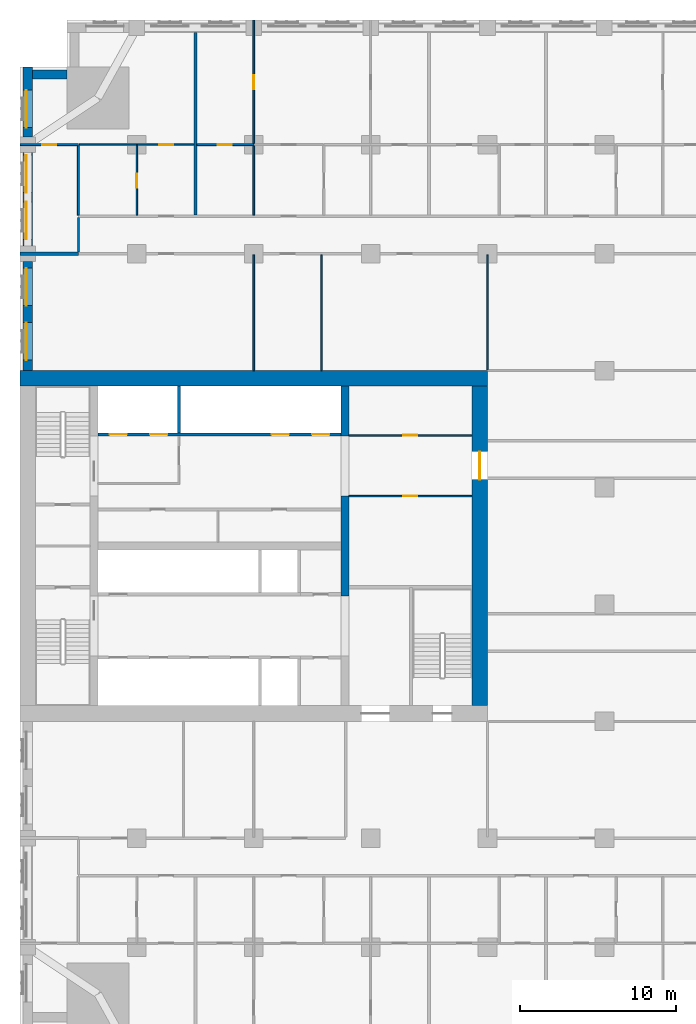
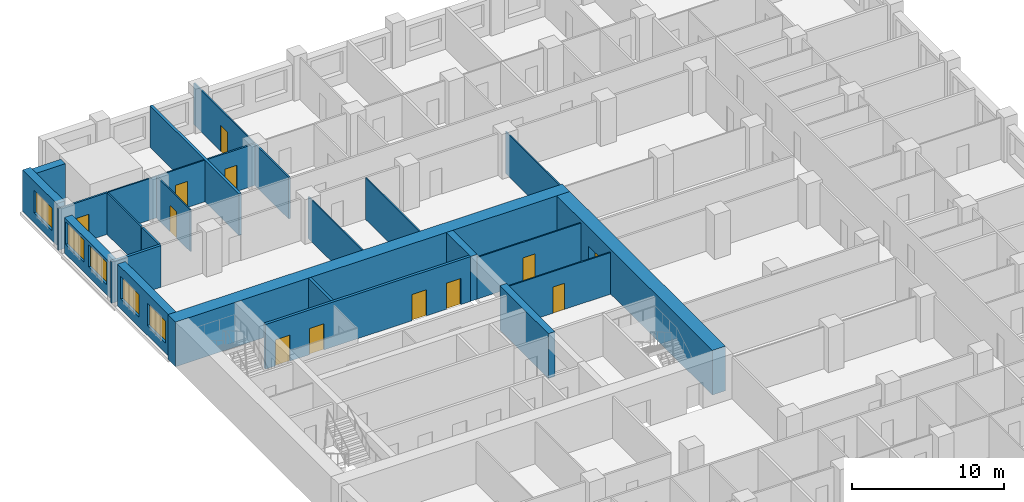
# One storey, part 8 of 14: 25 walls, 12 doors, 5 windows, 17 openings.
"""IFC4 building model written with IfcOpenShell, lengths in metres."""

import ifcopenshell
import ifcopenshell.guid

model = None  # the IFC model being written
_history = None  # IfcOwnerHistory: only IFC2X3 demands one
_inside = {}  # id of a spatial element -> (the spatial element, [elements in it])
_under = {}  # id of a project, library or spatial element -> (it, [spatial elements below it])
_declared = {}  # id of a project -> (the project, [libraries it declares])
_typed = {}  # id of a type object -> (the type object, [elements of that type])
_made_of = {}  # id of a material, layer set ... -> (it, [elements and type objects made of it])


def new_model(schema):
    """Start an empty IFC model of exactly this schema.

    Asked for "IFC4X3", IfcOpenShell would pick the latest addendum, in which some entities
    have other attributes; the version numbers below select the first issue.
    IFC2X3 requires an IfcOwnerHistory on every rooted entity: one is made here for all.
    """
    global model, _history
    if schema == "IFC4X3":
        model = ifcopenshell.file(schema_version=(4, 3, 0, 0))
    else:
        model = ifcopenshell.file(schema=schema)
    _inside.clear()
    _under.clear()
    _declared.clear()
    _typed.clear()
    _made_of.clear()
    _history = None
    if model.schema == "IFC2X3":
        org = make("IfcOrganization", Name="unknown")
        user = make(
            "IfcPersonAndOrganization",
            ThePerson=make("IfcPerson", FamilyName="unknown"),
            TheOrganization=org,
        )
        app = make(
            "IfcApplication",
            ApplicationDeveloper=org,
            Version="unknown",
            ApplicationFullName="unknown",
            ApplicationIdentifier="unknown",
        )
        _history = make(
            "IfcOwnerHistory",
            OwningUser=user,
            OwningApplication=app,
            ChangeAction="ADDED",
            CreationDate=0,
        )
    return model


def make(cls, **values):
    """One entity of the class cls with the attributes given. An attribute that is None is left unset."""
    return model.create_entity(
        cls, **{name: value for name, value in values.items() if value is not None}
    )


def rooted(cls, **values):
    """An entity with a GlobalId (a new one), such as an element, a storey or a relation."""
    return make(cls, GlobalId=ifcopenshell.guid.new(), OwnerHistory=_history, **values)


def si_unit(unit_type, name, prefix=None):
    """IfcSIUnit, for example si_unit("LENGTHUNIT", "METRE", prefix="MILLI")."""
    return make("IfcSIUnit", UnitType=unit_type, Prefix=prefix, Name=name)


def assignment(units):
    """IfcUnitAssignment: the units of a project."""
    return None if units is None else make("IfcUnitAssignment", Units=units)


def point(xyz):
    """IfcCartesianPoint."""
    return None if xyz is None else make("IfcCartesianPoint", Coordinates=xyz)


def direction(xyz):
    """IfcDirection."""
    return None if xyz is None else make("IfcDirection", DirectionRatios=xyz)


def frame(location, z_axis=None, x_axis=None):
    """IfcAxis2Placement3D, a coordinate frame: its origin and axes. An axis left out is left unset."""
    return make(
        "IfcAxis2Placement3D",
        Location=point(location),
        Axis=direction(z_axis),
        RefDirection=direction(x_axis),
    )


def frame_2d(location, x_axis=None):
    """IfcAxis2Placement2D, a coordinate frame in the plane: its origin and x axis."""
    return make(
        "IfcAxis2Placement2D", Location=point(location), RefDirection=direction(x_axis)
    )


def origin():
    """The frame at (0, 0, 0) with its axes left unset."""
    return frame((0.0, 0.0, 0.0))


def place(relative_to, where):
    """IfcLocalPlacement: puts the frame where relative to a parent placement (None: the world)."""
    return make(
        "IfcLocalPlacement", PlacementRelTo=relative_to, RelativePlacement=where
    )


def context(
    kind, dimensions, precision=None, world=None, true_north=None, identifier=None
):
    """IfcGeometricRepresentationContext, for example the 3D "Model" context."""
    return make(
        "IfcGeometricRepresentationContext",
        ContextIdentifier=identifier,
        ContextType=kind,
        CoordinateSpaceDimension=dimensions,
        Precision=precision,
        WorldCoordinateSystem=world,
        TrueNorth=true_north,
    )


def subcontext(parent, identifier, kind, view, scale=None):
    """IfcGeometricRepresentationSubContext, for example "Body" below "Model"."""
    return make(
        "IfcGeometricRepresentationSubContext",
        ContextIdentifier=identifier,
        ContextType=kind,
        ParentContext=parent,
        TargetScale=scale,
        TargetView=view,
    )


def project(units=None, contexts=None):
    """IfcProject with its units and contexts."""
    return rooted(
        "IfcProject",
        Name="project",
        RepresentationContexts=contexts,
        UnitsInContext=assignment(units),
    )


def spatial(cls, under=None, at=None, **own):
    """A site, building, storey or space (cls), placed at a placement, below another one or the project."""
    s = rooted(cls, ObjectPlacement=at, **own)
    if under is not None:
        _under.setdefault(under.id(), (under, []))[1].append(s)
    return s


def profile(cls, at=None, kind="AREA", **sizes):
    """A parametric profile (cls). Its sizes go by their IFC names, for example OverallWidth=200.0."""
    return make(cls, ProfileType=kind, Position=at, **sizes)


def rectangle(**sizes):
    """IfcRectangleProfileDef."""
    return profile("IfcRectangleProfileDef", **sizes)


def extrude(swept, where, along, depth):
    """IfcExtrudedAreaSolid: the profile swept, set in the frame where, extruded along a direction by depth."""
    return make(
        "IfcExtrudedAreaSolid",
        SweptArea=swept,
        Position=where,
        ExtrudedDirection=direction(along),
        Depth=depth,
    )


def shape(context_of_items, identifier, shape_type, items):
    """IfcShapeRepresentation: the items that make up one representation, for example the "Body"."""
    return make(
        "IfcShapeRepresentation",
        ContextOfItems=context_of_items,
        RepresentationIdentifier=identifier,
        RepresentationType=shape_type,
        Items=items,
    )


def material(Name=None, Category=None):
    """IfcMaterial."""
    return make("IfcMaterial", Name=Name, Category=Category)


def layer(
    of_material, thickness, ventilated=None, Name=None, Category=None, Priority=None
):
    """IfcMaterialLayer: one layer of a wall or slab, of a material (None: an air gap)."""
    return make(
        "IfcMaterialLayer",
        Material=of_material,
        LayerThickness=thickness,
        IsVentilated=ventilated,
        Name=Name,
        Category=Category,
        Priority=Priority,
    )


def layer_set(layers, Name=None):
    """IfcMaterialLayerSet."""
    return make("IfcMaterialLayerSet", MaterialLayers=layers, LayerSetName=Name)


def made_of(thing, what):
    """Note that an element or type object is made of a material, layer set ...; save() writes the relation."""
    if what is not None:
        _made_of.setdefault(what.id(), (what, []))[1].append(thing)
    return thing


def type_object(cls, material=None, **own):
    """A type object (cls), such as IfcWallType, which elements share."""
    return made_of(rooted(cls, **own), material)


def element(
    cls,
    number,
    at=None,
    inside=None,
    cuts=None,
    type_object=None,
    material=None,
    context=None,
    identifier="Body",
    shape_type=None,
    held_by="IfcProductDefinitionShape",
    body=None,
    shapes=None,
    **own,
):
    """One element of the class cls, such as IfcWall. Its Tag is "e" and its number.

    at: its placement. inside: the storey or other place that contains it. cuts: it is an
    opening in that element (IfcRelVoidsElement). A single representation is given by context,
    identifier, shape_type and body (its items); several are given by shapes. held_by: the class
    of the entity that holds the representations. save() writes the other relations.
    """
    e = rooted(cls, Tag="e%d" % number, ObjectPlacement=at, **own)
    if body is not None:
        shapes = [shape(context, identifier, shape_type, body)]
    if shapes is not None:
        e.Representation = make(held_by, Representations=shapes)
    if inside is not None:
        _inside.setdefault(inside.id(), (inside, []))[1].append(e)
    if cuts is not None:
        rooted(
            "IfcRelVoidsElement", RelatingBuildingElement=cuts, RelatedOpeningElement=e
        )
    if type_object is not None:
        _typed.setdefault(type_object.id(), (type_object, []))[1].append(e)
    return made_of(e, material)


def fill(opening, filler):
    """IfcRelFillsElement: the door or window that sits in an opening."""
    return rooted(
        "IfcRelFillsElement",
        RelatingOpeningElement=opening,
        RelatedBuildingElement=filler,
    )


def aggregate(whole, parts):
    """IfcRelAggregates: a whole, such as a stair, and the parts it consists of."""
    return rooted("IfcRelAggregates", RelatingObject=whole, RelatedObjects=parts)


def save(model, path):
    """Write the relations noted so far, then the file.

    IfcRelAggregates (storeys below a building ...), IfcRelContainedInSpatialStructure (elements
    in a storey), IfcRelDefinesByType, IfcRelAssociatesMaterial and IfcRelDeclares: one each for
    every whole, place, type object, material and project.
    """
    for whole, parts in _under.values():
        aggregate(whole, parts)
    for where, things in _inside.values():
        rooted(
            "IfcRelContainedInSpatialStructure",
            RelatedElements=things,
            RelatingStructure=where,
        )
    for kind, things in _typed.values():
        rooted("IfcRelDefinesByType", RelatedObjects=things, RelatingType=kind)
    for what, things in _made_of.values():
        rooted("IfcRelAssociatesMaterial", RelatedObjects=things, RelatingMaterial=what)
    for by, libraries in _declared.values():
        rooted("IfcRelDeclares", RelatingContext=by, RelatedDefinitions=libraries)
    model.write(path)


model = new_model("IFC4")

# Units and contexts
model_context = context("Model", 3, precision=1e-05, world=origin(), true_north=direction((0.0, 1.0)))
body_context = subcontext(model_context, "Body", "Model", "MODEL_VIEW")
ifc_project = project(units=[si_unit("LENGTHUNIT", "METRE"), si_unit("AREAUNIT", "SQUARE_METRE"), si_unit("VOLUMEUNIT", "CUBIC_METRE"), si_unit("PLANEANGLEUNIT", "RADIAN"), si_unit("MASSUNIT", "GRAM", prefix="KILO")], contexts=[model_context])

# Site, building, storey
site_placement = place(None, origin())
site = spatial("IfcSite", under=ifc_project, at=site_placement, CompositionType="ELEMENT")
building_placement = place(site_placement, origin())
building = spatial("IfcBuilding", under=site, at=building_placement, Name="Tamorin Gate", CompositionType="ELEMENT")
storey_placement = place(building_placement, frame((0.0, 0.0, 55.60009765625)))
storey = spatial("IfcBuildingStorey", under=building, at=storey_placement, Name="L12", CompositionType="ELEMENT", Elevation=55.60009765625)

# Wall
ifc_material_1 = material(Name="Precast concrete C40/50", Category="concrete")
ifc_layer_1 = layer(ifc_material_1, 0.60009765625)
ifc_layer_set_1 = layer_set([ifc_layer_1], Name="Precast concrete C40/50")
wall_type_1 = type_object("IfcWallType", Name="Board-marked concrete facade panel 600", PredefinedType="SOLIDWALL", material=ifc_layer_set_1)
wall_1_placement = place(storey_placement, frame((33.0, 101.5, 0.0), z_axis=(0.0, 0.0, 1.0), x_axis=(-1.0, 0.0, 0.0)))
element("IfcWall", 1, at=wall_1_placement, inside=storey, type_object=wall_type_1, Name="Facade panel", PredefinedType="SOLIDWALL", context=body_context, shape_type="SweptSolid", body=[
    extrude(rectangle(XDim=2.199951171875, YDim=0.60009765625, at=frame_2d((1.10009765625, 0.0))), origin(), (0.0, 0.0, 1.0), 3.349853515625),
])

# Wall, opening, window
wall_2_placement = place(storey_placement, frame((30.5, 102.0, 0.0), z_axis=(0.0, 0.0, 1.0), x_axis=(0.0, -1.0, 0.0)))
wall_2 = element("IfcWall", 2, at=wall_2_placement, inside=storey, type_object=wall_type_1, Name="Facade panel", PredefinedType="SOLIDWALL", context=body_context, shape_type="SweptSolid", body=[
    extrude(rectangle(XDim=4.5, YDim=0.60009765625, at=frame_2d((2.25, 0.0))), origin(), (0.0, 0.0, 1.0), 3.349853515625),
])
opening_1_placement = place(wall_2_placement, frame((1.5, 0.0, 0.800048828125)))
opening_1 = element("IfcOpeningElement", 3, at=opening_1_placement, cuts=wall_2, Name="Opening WN1", PredefinedType="OPENING", context=body_context, shape_type="SweptSolid", body=[
    extrude(rectangle(XDim=2.39990234375, YDim=1.800048828125, at=frame_2d((1.199951171875, 0.89990234375))), frame((0.0, 0.31005859375, 0.0), z_axis=(0.0, -1.0, 0.0), x_axis=(1.0, 0.0, 0.0)), (0.0, 0.0, 1.0), 0.6201171875),
])
ifc_material_2 = material(Name="Clear glass in aluminium frame", Category="aluminium")
window_type = type_object("IfcWindowType", Name="Deep-set window 2400x1800", PartitioningType="SINGLE_PANEL", PredefinedType="WINDOW", material=ifc_material_2)
window_1_placement = place(opening_1_placement, origin())
window_1 = element("IfcWindow", 4, at=window_1_placement, inside=storey, type_object=window_type, Name="Deep-set window", OverallHeight=1.800048828125, OverallWidth=2.39990234375, PartitioningType="SINGLE_PANEL", PredefinedType="WINDOW", context=body_context, shape_type="SweptSolid", body=[
    extrude(rectangle(XDim=2.39990234375, YDim=1.800048828125, at=frame_2d((1.199951171875, 0.89990234375))), frame((0.0, -0.070068359375, 0.0), z_axis=(0.0, -1.0, 0.0), x_axis=(1.0, 0.0, 0.0)), (0.0, 0.0, 1.0), 0.06005859375),
])
fill(opening_1, window_1)

# Wall, openings, windows
wall_3_placement = place(storey_placement, frame((30.5, 96.5, 0.0), z_axis=(0.0, 0.0, 1.0), x_axis=(0.0, -1.0, 0.0)))
wall_3 = element("IfcWall", 5, at=wall_3_placement, inside=storey, type_object=wall_type_1, Name="Facade panel", PredefinedType="SOLIDWALL", context=body_context, shape_type="SweptSolid", body=[
    extrude(rectangle(XDim=6.0, YDim=0.60009765625, at=frame_2d((3.0, 0.0))), origin(), (0.0, 0.0, 1.0), 2.849853515625),
])
opening_2_placement = place(wall_3_placement, frame((3.175048828125, 0.0, 0.800048828125)))
opening_2 = element("IfcOpeningElement", 6, at=opening_2_placement, cuts=wall_3, Name="Opening WN1", PredefinedType="OPENING", context=body_context, shape_type="SweptSolid", body=[
    extrude(rectangle(XDim=2.39990234375, YDim=1.800048828125, at=frame_2d((1.199951171875, 0.89990234375))), frame((0.0, 0.31005859375, 0.0), z_axis=(0.0, -1.0, 0.0), x_axis=(1.0, 0.0, 0.0)), (0.0, 0.0, 1.0), 0.6201171875),
])
opening_3_placement = place(wall_3_placement, frame((0.175048828125, 0.0, 0.800048828125)))
opening_3 = element("IfcOpeningElement", 7, at=opening_3_placement, cuts=wall_3, Name="Opening WN1", PredefinedType="OPENING", context=body_context, shape_type="SweptSolid", body=[
    extrude(rectangle(XDim=2.39990234375, YDim=1.800048828125, at=frame_2d((1.199951171875, 0.89990234375))), frame((0.0, 0.31005859375, 0.0), z_axis=(0.0, -1.0, 0.0), x_axis=(1.0, 0.0, 0.0)), (0.0, 0.0, 1.0), 0.6201171875),
])
window_2_placement = place(opening_2_placement, origin())
window_2 = element("IfcWindow", 8, at=window_2_placement, inside=storey, type_object=window_type, Name="Deep-set window", OverallHeight=1.800048828125, OverallWidth=2.39990234375, PartitioningType="SINGLE_PANEL", PredefinedType="WINDOW", context=body_context, shape_type="SweptSolid", body=[
    extrude(rectangle(XDim=2.39990234375, YDim=1.800048828125, at=frame_2d((1.199951171875, 0.89990234375))), frame((0.0, -0.070068359375, 0.0), z_axis=(0.0, -1.0, 0.0), x_axis=(1.0, 0.0, 0.0)), (0.0, 0.0, 1.0), 0.06005859375),
])
fill(opening_2, window_2)
window_3_placement = place(opening_3_placement, origin())
window_3 = element("IfcWindow", 9, at=window_3_placement, inside=storey, type_object=window_type, Name="Deep-set window", OverallHeight=1.800048828125, OverallWidth=2.39990234375, PartitioningType="SINGLE_PANEL", PredefinedType="WINDOW", context=body_context, shape_type="SweptSolid", body=[
    extrude(rectangle(XDim=2.39990234375, YDim=1.800048828125, at=frame_2d((1.199951171875, 0.89990234375))), frame((0.0, -0.070068359375, 0.0), z_axis=(0.0, -1.0, 0.0), x_axis=(1.0, 0.0, 0.0)), (0.0, 0.0, 1.0), 0.06005859375),
])
fill(opening_3, window_3)

wall_4_placement = place(storey_placement, frame((30.5, 89.5, 0.0), z_axis=(0.0, 0.0, 1.0), x_axis=(0.0, -1.0, 0.0)))
wall_4 = element("IfcWall", 10, at=wall_4_placement, inside=storey, type_object=wall_type_1, Name="Facade panel", PredefinedType="SOLIDWALL", context=body_context, shape_type="SweptSolid", body=[
    extrude(rectangle(XDim=7.0, YDim=0.60009765625, at=frame_2d((3.5, 0.0))), origin(), (0.0, 0.0, 1.0), 3.349853515625),
])
opening_4_placement = place(wall_4_placement, frame((3.925048828125, 0.0, 0.800048828125)))
opening_4 = element("IfcOpeningElement", 11, at=opening_4_placement, cuts=wall_4, Name="Opening WN1", PredefinedType="OPENING", context=body_context, shape_type="SweptSolid", body=[
    extrude(rectangle(XDim=2.39990234375, YDim=1.800048828125, at=frame_2d((1.199951171875, 0.89990234375))), frame((0.0, 0.31005859375, 0.0), z_axis=(0.0, -1.0, 0.0), x_axis=(1.0, 0.0, 0.0)), (0.0, 0.0, 1.0), 0.6201171875),
])
opening_5_placement = place(wall_4_placement, frame((0.425048828125, 0.0, 0.800048828125)))
opening_5 = element("IfcOpeningElement", 12, at=opening_5_placement, cuts=wall_4, Name="Opening WN1", PredefinedType="OPENING", context=body_context, shape_type="SweptSolid", body=[
    extrude(rectangle(XDim=2.39990234375, YDim=1.800048828125, at=frame_2d((1.199951171875, 0.89990234375))), frame((0.0, 0.31005859375, 0.0), z_axis=(0.0, -1.0, 0.0), x_axis=(1.0, 0.0, 0.0)), (0.0, 0.0, 1.0), 0.6201171875),
])
window_4_placement = place(opening_4_placement, origin())
window_4 = element("IfcWindow", 13, at=window_4_placement, inside=storey, type_object=window_type, Name="Deep-set window", OverallHeight=1.800048828125, OverallWidth=2.39990234375, PartitioningType="SINGLE_PANEL", PredefinedType="WINDOW", context=body_context, shape_type="SweptSolid", body=[
    extrude(rectangle(XDim=2.39990234375, YDim=1.800048828125, at=frame_2d((1.199951171875, 0.89990234375))), frame((0.0, -0.070068359375, 0.0), z_axis=(0.0, -1.0, 0.0), x_axis=(1.0, 0.0, 0.0)), (0.0, 0.0, 1.0), 0.06005859375),
])
fill(opening_4, window_4)
window_5_placement = place(opening_5_placement, origin())
window_5 = element("IfcWindow", 14, at=window_5_placement, inside=storey, type_object=window_type, Name="Deep-set window", OverallHeight=1.800048828125, OverallWidth=2.39990234375, PartitioningType="SINGLE_PANEL", PredefinedType="WINDOW", context=body_context, shape_type="SweptSolid", body=[
    extrude(rectangle(XDim=2.39990234375, YDim=1.800048828125, at=frame_2d((1.199951171875, 0.89990234375))), frame((0.0, -0.070068359375, 0.0), z_axis=(0.0, -1.0, 0.0), x_axis=(1.0, 0.0, 0.0)), (0.0, 0.0, 1.0), 0.06005859375),
])
fill(opening_5, window_5)

# Walls
ifc_material_3 = material(Name="Gypsum board partition")
ifc_layer_2 = layer(ifc_material_3, 0.14990234375)
ifc_layer_set_2 = layer_set([ifc_layer_2], Name="Corridor wall 150")
wall_type_2 = type_object("IfcWallType", Name="Corridor wall 150", PredefinedType="PARTITIONING", material=ifc_layer_set_2)
wall_5_placement = place(storey_placement, frame((33.75, 90.10009765625, 0.0), z_axis=(0.0, 0.0, 1.0), x_axis=(0.0, 1.0, 0.0)))
element("IfcWall", 15, at=wall_5_placement, inside=storey, type_object=wall_type_2, Name="Corridor wall 150", PredefinedType="PARTITIONING", context=body_context, shape_type="SweptSolid", body=[
    extrude(rectangle(XDim=2.224853515625, YDim=0.14990234375, at=frame_2d((1.1123046875, 0.0))), origin(), (0.0, 0.0, 1.0), 3.349853515625),
])
ifc_layer_3 = layer(ifc_material_3, 0.199951171875)
ifc_layer_set_3 = layer_set([ifc_layer_3], Name="Demising wall 200")
wall_type_3 = type_object("IfcWallType", Name="Demising wall 200", PredefinedType="PARTITIONING", material=ifc_layer_set_3)
wall_6_placement = place(storey_placement, frame((30.0, 90.0, 0.0), z_axis=(0.0, 0.0, 1.0), x_axis=(1.0, 0.0, 0.0)))
element("IfcWall", 16, at=wall_6_placement, inside=storey, type_object=wall_type_3, Name="Demising wall 200", PredefinedType="PARTITIONING", context=body_context, shape_type="SweptSolid", body=[
    extrude(rectangle(XDim=3.75, YDim=0.199951171875, at=frame_2d((1.875, 0.0))), origin(), (0.0, 0.0, 1.0), 3.349853515625),
])
wall_7_placement = place(storey_placement, frame((41.25, 92.47509765625, 0.0), z_axis=(0.0, 0.0, 1.0), x_axis=(0.0, 1.0, 0.0)))
element("IfcWall", 17, at=wall_7_placement, inside=storey, type_object=wall_type_3, Name="Demising wall 200", PredefinedType="PARTITIONING", context=body_context, shape_type="SweptSolid", body=[
    extrude(rectangle(XDim=11.71484375, YDim=0.199951171875, at=frame_2d((5.857421875, 0.0))), origin(), (0.0, 0.0, 1.0), 3.349853515625),
])

# Wall, openings, doors
ifc_material_4 = material(Name="Concrete C32/40", Category="concrete")
ifc_layer_4 = layer(ifc_material_4, 0.199951171875)
ifc_layer_set_4 = layer_set([ifc_layer_4], Name="Lift lobby face wall 200 EI 120")
wall_type_4 = type_object("IfcWallType", Name="Lift lobby face wall 200 EI 120", PredefinedType="SOLIDWALL", material=ifc_layer_set_4)
wall_8_placement = place(storey_placement, frame((35.0, 78.39990234375, 0.0), z_axis=(0.0, 0.0, 1.0), x_axis=(1.0, 0.0, 0.0)))
wall_8 = element("IfcWall", 18, at=wall_8_placement, inside=storey, type_object=wall_type_4, Name="Lift lobby face wall", PredefinedType="SOLIDWALL", context=body_context, shape_type="SweptSolid", body=[
    extrude(rectangle(XDim=15.60009765625, YDim=0.199951171875, at=frame_2d((7.800048828125, 0.0))), origin(), (0.0, 0.0, 1.0), 3.599853515625),
])
opening_6_placement = place(wall_8_placement, frame((0.75, 0.0, 0.0)))
opening_6 = element("IfcOpeningElement", 19, at=opening_6_placement, cuts=wall_8, Name="Opening LD17", PredefinedType="OPENING", context=body_context, shape_type="SweptSolid", body=[
    extrude(rectangle(XDim=1.10009765625, YDim=2.10009765625, at=frame_2d((0.550048828125, 1.050048828125))), frame((0.0, 0.10986328125, 0.0), z_axis=(0.0, -1.0, 0.0), x_axis=(1.0, 0.0, 0.0)), (0.0, 0.0, 1.0), 0.219970703125),
])
opening_7_placement = place(wall_8_placement, frame((3.35009765625, 0.0, 0.0)))
opening_7 = element("IfcOpeningElement", 20, at=opening_7_placement, cuts=wall_8, Name="Opening LD18", PredefinedType="OPENING", context=body_context, shape_type="SweptSolid", body=[
    extrude(rectangle(XDim=1.10009765625, YDim=2.10009765625, at=frame_2d((0.550048828125, 1.050048828125))), frame((0.0, 0.10986328125, 0.0), z_axis=(0.0, -1.0, 0.0), x_axis=(1.0, 0.0, 0.0)), (0.0, 0.0, 1.0), 0.219970703125),
])
opening_8_placement = place(wall_8_placement, frame((11.14990234375, 0.0, 0.0)))
opening_8 = element("IfcOpeningElement", 21, at=opening_8_placement, cuts=wall_8, Name="Opening LD21", PredefinedType="OPENING", context=body_context, shape_type="SweptSolid", body=[
    extrude(rectangle(XDim=1.10009765625, YDim=2.10009765625, at=frame_2d((0.550048828125, 1.050048828125))), frame((0.0, 0.10986328125, 0.0), z_axis=(0.0, -1.0, 0.0), x_axis=(1.0, 0.0, 0.0)), (0.0, 0.0, 1.0), 0.219970703125),
])
opening_9_placement = place(wall_8_placement, frame((13.75, 0.0, 0.0)))
opening_9 = element("IfcOpeningElement", 22, at=opening_9_placement, cuts=wall_8, Name="Opening LD22", PredefinedType="OPENING", context=body_context, shape_type="SweptSolid", body=[
    extrude(rectangle(XDim=1.10009765625, YDim=2.10009765625, at=frame_2d((0.550048828125, 1.050048828125))), frame((0.0, 0.10986328125, 0.0), z_axis=(0.0, -1.0, 0.0), x_axis=(1.0, 0.0, 0.0)), (0.0, 0.0, 1.0), 0.219970703125),
])
ifc_material_5 = material(Name="Stainless steel sliding door", Category="steel")
door_type_1 = type_object("IfcDoorType", Name="Lift landing door 1100 x 2100 E 90", OperationType="DOUBLE_DOOR_SLIDING", PredefinedType="DOOR", material=ifc_material_5)
door_1_placement = place(opening_6_placement, origin())
door_1 = element("IfcDoor", 23, at=door_1_placement, inside=storey, type_object=door_type_1, Name="FF1 landing door", OperationType="DOUBLE_DOOR_SLIDING", OverallHeight=2.10009765625, OverallWidth=1.10009765625, PredefinedType="DOOR", context=body_context, shape_type="SweptSolid", body=[
    extrude(rectangle(XDim=1.10009765625, YDim=2.10009765625, at=frame_2d((0.550048828125, 1.050048828125))), frame((0.0, 0.02490234375, 0.0), z_axis=(0.0, -1.0, 0.0), x_axis=(1.0, 0.0, 0.0)), (0.0, 0.0, 1.0), 0.050048828125),
])
fill(opening_6, door_1)
door_2_placement = place(opening_7_placement, origin())
door_2 = element("IfcDoor", 24, at=door_2_placement, inside=storey, type_object=door_type_1, Name="FF2 landing door", OperationType="DOUBLE_DOOR_SLIDING", OverallHeight=2.10009765625, OverallWidth=1.10009765625, PredefinedType="DOOR", context=body_context, shape_type="SweptSolid", body=[
    extrude(rectangle(XDim=1.10009765625, YDim=2.10009765625, at=frame_2d((0.550048828125, 1.050048828125))), frame((0.0, 0.02490234375, 0.0), z_axis=(0.0, -1.0, 0.0), x_axis=(1.0, 0.0, 0.0)), (0.0, 0.0, 1.0), 0.050048828125),
])
fill(opening_7, door_2)
door_3_placement = place(opening_8_placement, origin())
door_3 = element("IfcDoor", 25, at=door_3_placement, inside=storey, type_object=door_type_1, Name="SV1 landing door", OperationType="DOUBLE_DOOR_SLIDING", OverallHeight=2.10009765625, OverallWidth=1.10009765625, PredefinedType="DOOR", context=body_context, shape_type="SweptSolid", body=[
    extrude(rectangle(XDim=1.10009765625, YDim=2.10009765625, at=frame_2d((0.550048828125, 1.050048828125))), frame((0.0, 0.02490234375, 0.0), z_axis=(0.0, -1.0, 0.0), x_axis=(1.0, 0.0, 0.0)), (0.0, 0.0, 1.0), 0.050048828125),
])
fill(opening_8, door_3)
door_4_placement = place(opening_9_placement, origin())
door_4 = element("IfcDoor", 26, at=door_4_placement, inside=storey, type_object=door_type_1, Name="SV2 landing door", OperationType="DOUBLE_DOOR_SLIDING", OverallHeight=2.10009765625, OverallWidth=1.10009765625, PredefinedType="DOOR", context=body_context, shape_type="SweptSolid", body=[
    extrude(rectangle(XDim=1.10009765625, YDim=2.10009765625, at=frame_2d((0.550048828125, 1.050048828125))), frame((0.0, 0.02490234375, 0.0), z_axis=(0.0, -1.0, 0.0), x_axis=(1.0, 0.0, 0.0)), (0.0, 0.0, 1.0), 0.050048828125),
])
fill(opening_9, door_4)

# Walls
ifc_layer_5 = layer(ifc_material_4, 0.199951171875)
ifc_layer_set_5 = layer_set([ifc_layer_5], Name="Lift shaft wall 200 EI 120")
wall_type_5 = type_object("IfcWallType", Name="Lift shaft wall 200 EI 120", PredefinedType="SOLIDWALL", material=ifc_layer_set_5)
wall_9_placement = place(storey_placement, frame((40.199951171875, 78.5, 0.0), z_axis=(0.0, 0.0, 1.0), x_axis=(0.0, 1.0, 0.0)))
element("IfcWall", 27, at=wall_9_placement, inside=storey, type_object=wall_type_5, Name="Lift shaft wall", PredefinedType="SOLIDWALL", context=body_context, shape_type="SweptSolid", body=[
    extrude(rectangle(XDim=3.0, YDim=0.199951171875, at=frame_2d((1.5, 0.0))), origin(), (0.0, 0.0, 1.0), 3.599853515625),
])
ifc_material_6 = material(Name="Concrete C80/95", Category="concrete")
ifc_layer_6 = layer(ifc_material_6, 0.5)
ifc_layer_set_6 = layer_set([ifc_layer_6], Name="RC core internal wall 500 C80/95")
wall_type_6 = type_object("IfcWallType", Name="RC core internal wall 500 C80/95", PredefinedType="SHEAR", material=ifc_layer_set_6)
wall_10_placement = place(storey_placement, frame((50.85009765625, 68.050048828125, 0.0), z_axis=(0.0, 0.0, 1.0), x_axis=(0.0, 1.0, 0.0)))
element("IfcWall", 28, at=wall_10_placement, inside=storey, type_object=wall_type_6, Name="Core cross wall L12", PredefinedType="SHEAR", context=body_context, shape_type="SweptSolid", body=[
    extrude(rectangle(XDim=6.39990234375, YDim=0.5, at=frame_2d((3.199951171875, 0.0))), origin(), (0.0, 0.0, 1.0), 3.599853515625),
])
wall_11_placement = place(storey_placement, frame((50.85009765625, 78.300048828125, 0.0), z_axis=(0.0, 0.0, 1.0), x_axis=(0.0, 1.0, 0.0)))
element("IfcWall", 29, at=wall_11_placement, inside=storey, type_object=wall_type_6, Name="Core cross wall L12", PredefinedType="SHEAR", context=body_context, shape_type="SweptSolid", body=[
    extrude(rectangle(XDim=3.199951171875, YDim=0.5, at=frame_2d((1.60009765625, 0.0))), origin(), (0.0, 0.0, 1.0), 3.599853515625),
])
ifc_layer_7 = layer(ifc_material_6, 1.0)
ifc_layer_set_7 = layer_set([ifc_layer_7], Name="RC core wall 1000 C80/95")
wall_type_7 = type_object("IfcWallType", Name="RC core wall 1000 C80/95", PredefinedType="SHEAR", material=ifc_layer_set_7)
wall_12_placement = place(storey_placement, frame((30.0, 82.0, 0.0), z_axis=(0.0, 0.0, 1.0), x_axis=(1.0, 0.0, 0.0)))
element("IfcWall", 30, at=wall_12_placement, inside=storey, type_object=wall_type_7, Name="Core wall L12", PredefinedType="SHEAR", context=body_context, shape_type="SweptSolid", body=[
    extrude(rectangle(XDim=30.0, YDim=1.0, at=frame_2d((15.0, 0.0))), origin(), (0.0, 0.0, 1.0), 3.599853515625),
])

# Wall, opening, door
wall_13_placement = place(storey_placement, frame((59.5, 61.0, 0.0), z_axis=(0.0, 0.0, 1.0), x_axis=(0.0, 1.0, 0.0)))
wall_13 = element("IfcWall", 31, at=wall_13_placement, inside=storey, type_object=wall_type_7, Name="Core wall L12", PredefinedType="SHEAR", context=body_context, shape_type="SweptSolid", body=[
    extrude(rectangle(XDim=20.5, YDim=1.0, at=frame_2d((10.25, 0.0))), origin(), (0.0, 0.0, 1.0), 3.599853515625),
])
opening_10_placement = place(wall_13_placement, frame((14.5, 0.0, 0.0)))
opening_10 = element("IfcOpeningElement", 32, at=opening_10_placement, cuts=wall_13, Name="Opening DE1", PredefinedType="OPENING", context=body_context, shape_type="SweptSolid", body=[
    extrude(rectangle(XDim=1.800048828125, YDim=2.10009765625, at=frame_2d((0.89990234375, 1.050048828125))), frame((0.0, 0.510009765625, 0.0), z_axis=(0.0, -1.0, 0.0), x_axis=(1.0, 0.0, 0.0)), (0.0, 0.0, 1.0), 1.02001953125),
])
ifc_material_7 = material(Name="Steel fire door", Category="steel")
door_type_2 = type_object("IfcDoorType", Name="Lobby exit double door 1800 x 2100 EI 60", OperationType="DOUBLE_DOOR_SINGLE_SWING", PredefinedType="DOOR", material=ifc_material_7)
door_5_placement = place(opening_10_placement, origin())
door_5 = element("IfcDoor", 33, at=door_5_placement, inside=storey, type_object=door_type_2, Name="Lift lobby B exit door", OperationType="DOUBLE_DOOR_SINGLE_SWING", OverallHeight=2.10009765625, OverallWidth=1.800048828125, PredefinedType="DOOR", context=body_context, shape_type="SweptSolid", body=[
    extrude(rectangle(XDim=1.800048828125, YDim=2.10009765625, at=frame_2d((0.89990234375, 1.050048828125))), frame((0.0, 0.02490234375, 0.0), z_axis=(0.0, -1.0, 0.0), x_axis=(1.0, 0.0, 0.0)), (0.0, 0.0, 1.0), 0.050048828125),
])
fill(opening_10, door_5)

ifc_layer_8 = layer(ifc_material_3, 0.10009765625)
ifc_layer_set_8 = layer_set([ifc_layer_8], Name="Room partition 100")
wall_type_8 = type_object("IfcWallType", Name="Room partition 100", PredefinedType="PARTITIONING", material=ifc_layer_set_8)
wall_14_placement = place(storey_placement, frame((33.8125, 97.0, 0.0), z_axis=(0.0, 0.0, 1.0), x_axis=(1.0, 0.0, 0.0)))
wall_14 = element("IfcWall", 34, at=wall_14_placement, inside=storey, type_object=wall_type_8, Name="Room partition 100", PredefinedType="PARTITIONING", context=body_context, shape_type="SweptSolid", body=[
    extrude(rectangle(XDim=7.33740234375, YDim=0.10009765625, at=frame_2d((3.668701171875, 0.0))), origin(), (0.0, 0.0, 1.0), 3.349853515625),
])
opening_11_placement = place(wall_14_placement, frame((5.112548828125, 0.0, 0.0)))
opening_11 = element("IfcOpeningElement", 35, at=opening_11_placement, cuts=wall_14, Name="Opening DH3023", PredefinedType="OPENING", context=body_context, shape_type="SweptSolid", body=[
    extrude(rectangle(XDim=0.89990234375, YDim=2.10009765625, at=frame_2d((0.449951171875, 1.050048828125))), frame((0.0, 0.06005859375, 0.0), z_axis=(0.0, -1.0, 0.0), x_axis=(1.0, 0.0, 0.0)), (0.0, 0.0, 1.0), 0.1201171875),
])
ifc_material_8 = material(Name="Timber door leaf", Category="wood")
door_type_3 = type_object("IfcDoorType", Name="Door 900 x 2100", OperationType="NOTDEFINED", PredefinedType="DOOR", material=ifc_material_8)
door_6_placement = place(opening_11_placement, origin())
door_6 = element("IfcDoor", 36, at=door_6_placement, inside=storey, type_object=door_type_3, Name="Door DH3023", OperationType="SINGLE_SWING_RIGHT", OverallHeight=2.10009765625, OverallWidth=0.89990234375, PredefinedType="DOOR", context=body_context, shape_type="SweptSolid", body=[
    extrude(rectangle(XDim=0.89990234375, YDim=2.10009765625, at=frame_2d((0.449951171875, 1.050048828125))), frame((0.0, 0.02490234375, 0.0), z_axis=(0.0, -1.0, 0.0), x_axis=(1.0, 0.0, 0.0)), (0.0, 0.0, 1.0), 0.050048828125),
])
fill(opening_11, door_6)

wall_15_placement = place(storey_placement, frame((37.5, 92.47509765625, 0.0), z_axis=(0.0, 0.0, 1.0), x_axis=(0.0, 1.0, 0.0)))
wall_15 = element("IfcWall", 37, at=wall_15_placement, inside=storey, type_object=wall_type_8, Name="Room partition 100", PredefinedType="PARTITIONING", context=body_context, shape_type="SweptSolid", body=[
    extrude(rectangle(XDim=4.474853515625, YDim=0.10009765625, at=frame_2d((2.2373046875, 0.0))), origin(), (0.0, 0.0, 1.0), 3.349853515625),
])
opening_12_placement = place(wall_15_placement, frame((1.77490234375, 0.0, 0.0)))
opening_12 = element("IfcOpeningElement", 38, at=opening_12_placement, cuts=wall_15, Name="Opening DH3021", PredefinedType="OPENING", context=body_context, shape_type="SweptSolid", body=[
    extrude(rectangle(XDim=0.89990234375, YDim=2.10009765625, at=frame_2d((0.449951171875, 1.050048828125))), frame((0.0, 0.06005859375, 0.0), z_axis=(0.0, -1.0, 0.0), x_axis=(1.0, 0.0, 0.0)), (0.0, 0.0, 1.0), 0.1201171875),
])
door_7_placement = place(opening_12_placement, origin())
door_7 = element("IfcDoor", 39, at=door_7_placement, inside=storey, type_object=door_type_3, Name="Door DH3021", OperationType="SINGLE_SWING_RIGHT", OverallHeight=2.10009765625, OverallWidth=0.89990234375, PredefinedType="DOOR", context=body_context, shape_type="SweptSolid", body=[
    extrude(rectangle(XDim=0.89990234375, YDim=2.10009765625, at=frame_2d((0.449951171875, 1.050048828125))), frame((0.0, 0.02490234375, 0.0), z_axis=(0.0, -1.0, 0.0), x_axis=(1.0, 0.0, 0.0)), (0.0, 0.0, 1.0), 0.050048828125),
])
fill(opening_12, door_7)

# Wall
wall_16_placement = place(storey_placement, frame((45.0, 82.5, 0.0), z_axis=(0.0, 0.0, 1.0), x_axis=(0.0, 1.0, 0.0)))
element("IfcWall", 40, at=wall_16_placement, inside=storey, type_object=wall_type_8, Name="Room partition 100", PredefinedType="PARTITIONING", context=body_context, shape_type="SweptSolid", body=[
    extrude(rectangle(XDim=7.425048828125, YDim=0.10009765625, at=frame_2d((3.71240234375, 0.0))), origin(), (0.0, 0.0, 1.0), 3.349853515625),
])

# Wall, opening, door
wall_17_placement = place(storey_placement, frame((45.0, 97.0625, 0.0), z_axis=(0.0, 0.0, 1.0), x_axis=(0.0, 1.0, 0.0)))
wall_17 = element("IfcWall", 41, at=wall_17_placement, inside=storey, type_object=wall_type_8, Name="Room partition 100", PredefinedType="PARTITIONING", context=body_context, shape_type="SweptSolid", body=[
    extrude(rectangle(XDim=7.9375, YDim=0.10009765625, at=frame_2d((3.96875, 0.0))), origin(), (0.0, 0.0, 1.0), 3.349853515625),
])
opening_13_placement = place(wall_17_placement, frame((3.487548828125, 0.0, 0.0)))
opening_13 = element("IfcOpeningElement", 42, at=opening_13_placement, cuts=wall_17, Name="Opening DH3029", PredefinedType="OPENING", context=body_context, shape_type="SweptSolid", body=[
    extrude(rectangle(XDim=0.89990234375, YDim=2.10009765625, at=frame_2d((0.449951171875, 1.050048828125))), frame((0.0, 0.06005859375, 0.0), z_axis=(0.0, -1.0, 0.0), x_axis=(1.0, 0.0, 0.0)), (0.0, 0.0, 1.0), 0.1201171875),
])
door_8_placement = place(opening_13_placement, origin())
door_8 = element("IfcDoor", 43, at=door_8_placement, inside=storey, type_object=door_type_3, Name="Door DH3029", OperationType="SINGLE_SWING_LEFT", OverallHeight=2.10009765625, OverallWidth=0.89990234375, PredefinedType="DOOR", context=body_context, shape_type="SweptSolid", body=[
    extrude(rectangle(XDim=0.89990234375, YDim=2.10009765625, at=frame_2d((0.449951171875, 1.050048828125))), frame((0.0, 0.02490234375, 0.0), z_axis=(0.0, -1.0, 0.0), x_axis=(1.0, 0.0, 0.0)), (0.0, 0.0, 1.0), 0.050048828125),
])
fill(opening_13, door_8)

# Walls
wall_18_placement = place(storey_placement, frame((49.35009765625, 82.5, 0.0), z_axis=(0.0, 0.0, 1.0), x_axis=(0.0, 1.0, 0.0)))
element("IfcWall", 44, at=wall_18_placement, inside=storey, type_object=wall_type_8, Name="Room partition 100", PredefinedType="PARTITIONING", context=body_context, shape_type="SweptSolid", body=[
    extrude(rectangle(XDim=7.425048828125, YDim=0.10009765625, at=frame_2d((3.71240234375, 0.0))), origin(), (0.0, 0.0, 1.0), 3.349853515625),
])
wall_19_placement = place(storey_placement, frame((60.0, 82.550048828125, 0.0), z_axis=(0.0, 0.0, 1.0), x_axis=(0.0, 1.0, 0.0)))
element("IfcWall", 45, at=wall_19_placement, inside=storey, type_object=wall_type_8, Name="Room partition 100", PredefinedType="PARTITIONING", context=body_context, shape_type="SweptSolid", body=[
    extrude(rectangle(XDim=7.375, YDim=0.10009765625, at=frame_2d((3.6875, 0.0))), origin(), (0.0, 0.0, 1.0), 3.349853515625),
])

# Wall, opening, door
ifc_layer_9 = layer(ifc_material_3, 0.10009765625)
ifc_layer_set_9 = layer_set([ifc_layer_9], Name="Service room partition 100 EI 60")
wall_type_9 = type_object("IfcWallType", Name="Service room partition 100 EI 60", PredefinedType="PARTITIONING", material=ifc_layer_set_9)
wall_20_placement = place(storey_placement, frame((51.10009765625, 74.449951171875, 0.0), z_axis=(0.0, 0.0, 1.0), x_axis=(1.0, 0.0, 0.0)))
wall_20 = element("IfcWall", 46, at=wall_20_placement, inside=storey, type_object=wall_type_9, Name="Service room wall", PredefinedType="PARTITIONING", context=body_context, shape_type="SweptSolid", body=[
    extrude(rectangle(XDim=7.89990234375, YDim=0.10009765625, at=frame_2d((3.949951171875, 0.0))), origin(), (0.0, 0.0, 1.0), 3.349853515625),
])
opening_14_placement = place(wall_20_placement, frame((3.5, 0.0, 0.0)))
opening_14 = element("IfcOpeningElement", 47, at=opening_14_placement, cuts=wall_20, Name="Opening DR1", PredefinedType="OPENING", context=body_context, shape_type="SweptSolid", body=[
    extrude(rectangle(XDim=0.89990234375, YDim=2.10009765625, at=frame_2d((0.449951171875, 1.050048828125))), frame((0.0, 0.06005859375, 0.0), z_axis=(0.0, -1.0, 0.0), x_axis=(1.0, 0.0, 0.0)), (0.0, 0.0, 1.0), 0.1201171875),
])
door_type_4 = type_object("IfcDoorType", Name="Riser access door 900 x 2100 EI 120", OperationType="SINGLE_SWING_LEFT", PredefinedType="DOOR", material=ifc_material_7)
door_9_placement = place(opening_14_placement, origin())
door_9 = element("IfcDoor", 48, at=door_9_placement, inside=storey, type_object=door_type_4, Name="Duct riser door", OperationType="SINGLE_SWING_RIGHT", OverallHeight=2.10009765625, OverallWidth=0.89990234375, PredefinedType="DOOR", context=body_context, shape_type="SweptSolid", body=[
    extrude(rectangle(XDim=0.89990234375, YDim=2.10009765625, at=frame_2d((0.449951171875, 1.050048828125))), frame((0.0, 0.02490234375, 0.0), z_axis=(0.0, -1.0, 0.0), x_axis=(1.0, 0.0, 0.0)), (0.0, 0.0, 1.0), 0.050048828125),
])
fill(opening_14, door_9)

wall_21_placement = place(storey_placement, frame((51.10009765625, 78.35009765625, 0.0), z_axis=(0.0, 0.0, 1.0), x_axis=(1.0, 0.0, 0.0)))
wall_21 = element("IfcWall", 49, at=wall_21_placement, inside=storey, type_object=wall_type_9, Name="Service room wall", PredefinedType="PARTITIONING", context=body_context, shape_type="SweptSolid", body=[
    extrude(rectangle(XDim=7.89990234375, YDim=0.10009765625, at=frame_2d((3.949951171875, 0.0))), origin(), (0.0, 0.0, 1.0), 3.349853515625),
])
opening_15_placement = place(wall_21_placement, frame((3.5, 0.0, 0.0)))
opening_15 = element("IfcOpeningElement", 50, at=opening_15_placement, cuts=wall_21, Name="Opening DK1", PredefinedType="OPENING", context=body_context, shape_type="SweptSolid", body=[
    extrude(rectangle(XDim=0.89990234375, YDim=2.10009765625, at=frame_2d((0.449951171875, 1.050048828125))), frame((0.0, 0.06005859375, 0.0), z_axis=(0.0, -1.0, 0.0), x_axis=(1.0, 0.0, 0.0)), (0.0, 0.0, 1.0), 0.1201171875),
])
ifc_material_9 = material(Name="Timber fire door", Category="wood")
door_type_5 = type_object("IfcDoorType", Name="Service room door 900 x 2100 EI 60", OperationType="SINGLE_SWING_LEFT", PredefinedType="DOOR", material=ifc_material_9)
door_10_placement = place(opening_15_placement, origin())
door_10 = element("IfcDoor", 51, at=door_10_placement, inside=storey, type_object=door_type_5, Name="Door Housekeeping office", OperationType="SINGLE_SWING_RIGHT", OverallHeight=2.10009765625, OverallWidth=0.89990234375, PredefinedType="DOOR", context=body_context, shape_type="SweptSolid", body=[
    extrude(rectangle(XDim=0.89990234375, YDim=2.10009765625, at=frame_2d((0.449951171875, 1.050048828125))), frame((0.0, 0.02490234375, 0.0), z_axis=(0.0, -1.0, 0.0), x_axis=(1.0, 0.0, 0.0)), (0.0, 0.0, 1.0), 0.050048828125),
])
fill(opening_15, door_10)

ifc_layer_10 = layer(ifc_material_3, 0.125)
ifc_layer_set_10 = layer_set([ifc_layer_10], Name="Wet wall 125")
wall_type_10 = type_object("IfcWallType", Name="Wet wall 125", PredefinedType="PARTITIONING", material=ifc_layer_set_10)
wall_22_placement = place(storey_placement, frame((30.0, 97.0, 0.0), z_axis=(0.0, 0.0, 1.0), x_axis=(1.0, 0.0, 0.0)))
wall_22 = element("IfcWall", 52, at=wall_22_placement, inside=storey, type_object=wall_type_10, Name="Wet wall 125", PredefinedType="PARTITIONING", context=body_context, shape_type="SweptSolid", body=[
    extrude(rectangle(XDim=3.75, YDim=0.125, at=frame_2d((1.875, 0.0))), origin(), (0.0, 0.0, 1.0), 3.349853515625),
])
opening_16_placement = place(wall_22_placement, frame((1.425048828125, 0.0, 0.0)))
opening_16 = element("IfcOpeningElement", 53, at=opening_16_placement, cuts=wall_22, Name="Opening DH3020", PredefinedType="OPENING", context=body_context, shape_type="SweptSolid", body=[
    extrude(rectangle(XDim=0.89990234375, YDim=2.10009765625, at=frame_2d((0.449951171875, 1.050048828125))), frame((0.0, 0.072509765625, 0.0), z_axis=(0.0, -1.0, 0.0), x_axis=(1.0, 0.0, 0.0)), (0.0, 0.0, 1.0), 0.14501953125),
])
door_11_placement = place(opening_16_placement, origin())
door_11 = element("IfcDoor", 54, at=door_11_placement, inside=storey, type_object=door_type_3, Name="Door DH3020", OperationType="SINGLE_SWING_RIGHT", OverallHeight=2.10009765625, OverallWidth=0.89990234375, PredefinedType="DOOR", context=body_context, shape_type="SweptSolid", body=[
    extrude(rectangle(XDim=0.89990234375, YDim=2.10009765625, at=frame_2d((0.449951171875, 1.050048828125))), frame((0.0, 0.02490234375, 0.0), z_axis=(0.0, -1.0, 0.0), x_axis=(1.0, 0.0, 0.0)), (0.0, 0.0, 1.0), 0.050048828125),
])
fill(opening_16, door_11)

wall_23_placement = place(storey_placement, frame((41.35009765625, 97.0, 0.0), z_axis=(0.0, 0.0, 1.0), x_axis=(1.0, 0.0, 0.0)))
wall_23 = element("IfcWall", 55, at=wall_23_placement, inside=storey, type_object=wall_type_10, Name="Wet wall 125", PredefinedType="PARTITIONING", context=body_context, shape_type="SweptSolid", body=[
    extrude(rectangle(XDim=3.64990234375, YDim=0.125, at=frame_2d((1.824951171875, 0.0))), origin(), (0.0, 0.0, 1.0), 3.349853515625),
])
opening_17_placement = place(wall_23_placement, frame((1.324951171875, 0.0, 0.0)))
opening_17 = element("IfcOpeningElement", 56, at=opening_17_placement, cuts=wall_23, Name="Opening DH3024", PredefinedType="OPENING", context=body_context, shape_type="SweptSolid", body=[
    extrude(rectangle(XDim=0.89990234375, YDim=2.10009765625, at=frame_2d((0.449951171875, 1.050048828125))), frame((0.0, 0.072509765625, 0.0), z_axis=(0.0, -1.0, 0.0), x_axis=(1.0, 0.0, 0.0)), (0.0, 0.0, 1.0), 0.14501953125),
])
door_12_placement = place(opening_17_placement, origin())
door_12 = element("IfcDoor", 57, at=door_12_placement, inside=storey, type_object=door_type_3, Name="Door DH3024", OperationType="SINGLE_SWING_RIGHT", OverallHeight=2.10009765625, OverallWidth=0.89990234375, PredefinedType="DOOR", context=body_context, shape_type="SweptSolid", body=[
    extrude(rectangle(XDim=0.89990234375, YDim=2.10009765625, at=frame_2d((0.449951171875, 1.050048828125))), frame((0.0, 0.02490234375, 0.0), z_axis=(0.0, -1.0, 0.0), x_axis=(1.0, 0.0, 0.0)), (0.0, 0.0, 1.0), 0.050048828125),
])
fill(opening_17, door_12)

# Walls
for number, where, z_axis, x_axis, name in (
    (58, (33.75, 92.47509765625, 0.0), (0.0, 0.0, 1.0), (0.0, 1.0, 0.0), "Wet wall 125"),
    (59, (45.0, 92.47509765625, 0.0), (0.0, 0.0, 1.0), (0.0, 1.0, 0.0), "Wet wall 125"),
):
    element("IfcWall", number, at=place(storey_placement, frame(where, z_axis=z_axis, x_axis=x_axis)), inside=storey, type_object=wall_type_10, Name=name, PredefinedType="PARTITIONING", context=body_context, shape_type="SweptSolid", body=[
        extrude(rectangle(XDim=4.46240234375, YDim=0.125, at=frame_2d((2.231201171875, 0.0))), origin(), (0.0, 0.0, 1.0), 3.349853515625),
    ])

save(model, "model.ifc")
